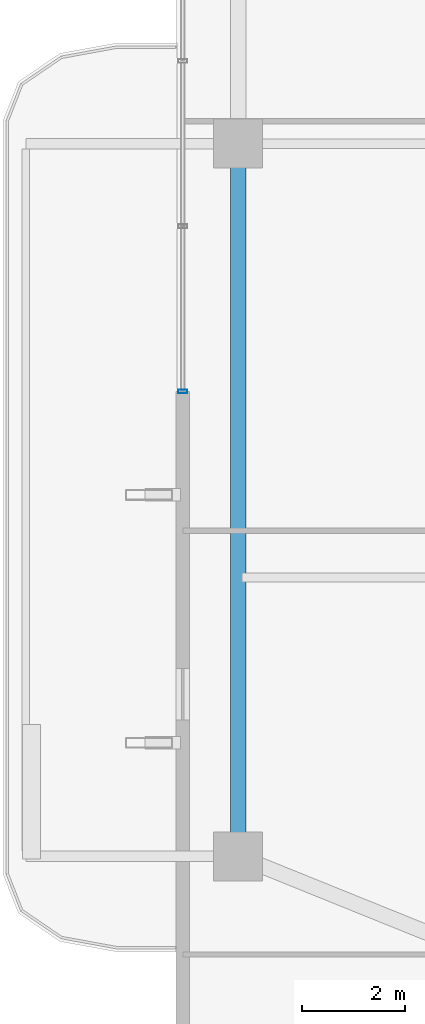
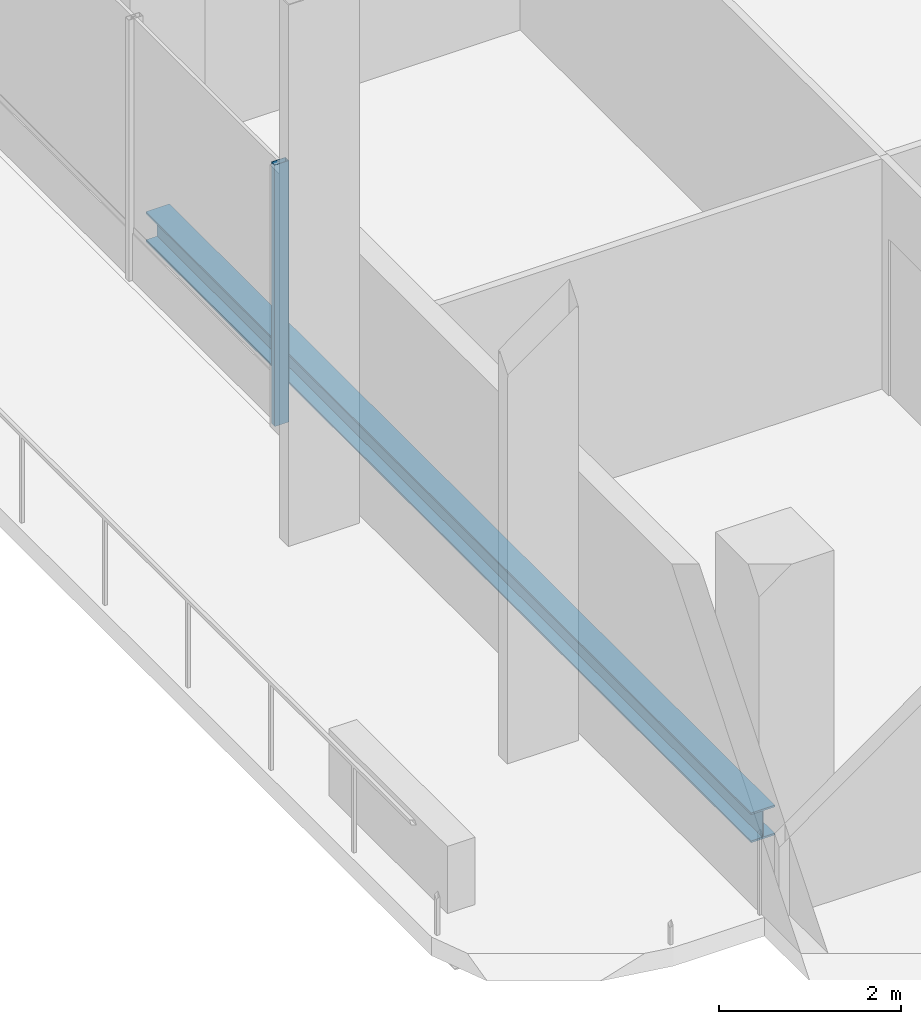
# One storey, part 4 of 25: 1 beam, 1 member, 1 element without a shape of its own.
"""IFC4 building model written with IfcOpenShell, lengths in metres."""

from ifc_helpers import new_model, si_unit, direction, frame, origin, origin_2d, place, context, subcontext, project, spatial, hollow_rectangle, i_section, extrude, material, layer, layer_set, material_profile, profile_set, type_object, element, aggregate, save


model = new_model("IFC4")

# Units and contexts
model_context = context("Model", 3, precision=1e-05, world=origin(), true_north=direction((0.0, 1.0)))
body_context = subcontext(model_context, "Body", "Model", "MODEL_VIEW")
ifc_project = project(units=[si_unit("LENGTHUNIT", "METRE"), si_unit("AREAUNIT", "SQUARE_METRE"), si_unit("VOLUMEUNIT", "CUBIC_METRE"), si_unit("PLANEANGLEUNIT", "RADIAN"), si_unit("MASSUNIT", "GRAM", prefix="KILO")], contexts=[model_context])

# Site, building, storey
site_placement = place(None, origin())
site = spatial("IfcSite", under=ifc_project, at=site_placement, CompositionType="ELEMENT")
building_placement = place(site_placement, origin())
building = spatial("IfcBuilding", under=site, at=building_placement, Name="Belovzor Exchange Tower", CompositionType="ELEMENT")
storey_placement = place(building_placement, frame((0.0, 0.0, 272.85009765625)))
storey = spatial("IfcBuildingStorey", under=building, at=storey_placement, Name="L68", CompositionType="ELEMENT", Elevation=272.85009765625)

# Curtain wall, member
ifc_material_1 = material(Name="Anodised Aluminium Framing", Category="aluminium")
ifc_layer = layer(ifc_material_1, 0.179931640625)
ifc_layer_set = layer_set([ifc_layer], Name="Anodised Aluminium Framing")
curtain_wall_type = type_object("IfcCurtainWallType", Name="Recessed Loggia Low-Iron Triple-Glazed Curtain Wall", PredefinedType="NOTDEFINED", material=ifc_layer_set)
curtain_wall_placement = place(storey_placement, origin())
curtain_wall = element("IfcCurtainWall", 1, at=curtain_wall_placement, inside=storey, type_object=curtain_wall_type, Name="CW3 Recessed Loggia Low-Iron Triple-Glazed Curtain Wall L68", PredefinedType="NOTDEFINED")
ifc_material_2 = material(Name="Steel S355", Category="steel")
ifc_material_profile_1 = material_profile(ifc_material_2, hollow_rectangle(XDim=0.074951171875, YDim=0.179931640625, WallThickness=0.0048828125, at=origin_2d()))
ifc_profile_set_1 = profile_set([ifc_material_profile_1], Name="Steel S355")
member_type = type_object("IfcMemberType", Name="Thermally Broken Curtain Wall Mullion 180x75", PredefinedType="MULLION", material=ifc_profile_set_1)
member_placement = place(storey_placement, frame((4.030029296875, 24.0, 0.0), z_axis=(0.0, 0.0, 1.0), x_axis=(0.0, 1.0, 0.0)))
member = element("IfcMember", 2, at=member_placement, type_object=member_type, Name="CW-M180 Curtain Wall Mullion 1", PredefinedType="MULLION", context=body_context, shape_type="SweptSolid", body=[
    extrude(hollow_rectangle(XDim=0.074951171875, YDim=0.179931640625, WallThickness=0.0048828125, at=origin_2d()), origin(), (0.0, 0.0, 1.0), 3.5),
])
aggregate(curtain_wall, [member])

# Beam
ifc_material_3 = material(Name="Steel S355", Category="steel")
ifc_material_profile_2 = material_profile(ifc_material_3, i_section(OverallWidth=0.300048828125, OverallDepth=0.39990234375, WebThickness=0.013427734375, FlangeThickness=0.02392578125, at=origin_2d()))
ifc_profile_set_2 = profile_set([ifc_material_profile_2], Name="Steel S355")
beam_type = type_object("IfcBeamType", Name="Zone 5 Primary Girder HEB 400", PredefinedType="BEAM", material=ifc_profile_set_2)
beam_placement = place(storey_placement, frame((5.10009765625, 28.5390625, -0.4501953125), z_axis=(0.0, -1.0, 0.0), x_axis=(1.0, 0.0, 0.0)))
element("IfcBeam", 3, at=beam_placement, inside=storey, type_object=beam_type, Name="FG-Z5 Zone 5 Primary Girder HEB 400", PredefinedType="BEAM", context=body_context, shape_type="SweptSolid", body=[
    extrude(i_section(OverallWidth=0.300048828125, OverallDepth=0.39990234375, WebThickness=0.013427734375, FlangeThickness=0.02392578125, at=origin_2d()), origin(), (0.0, 0.0, 1.0), 13.278076171875),
])

save(model, "model.ifc")
